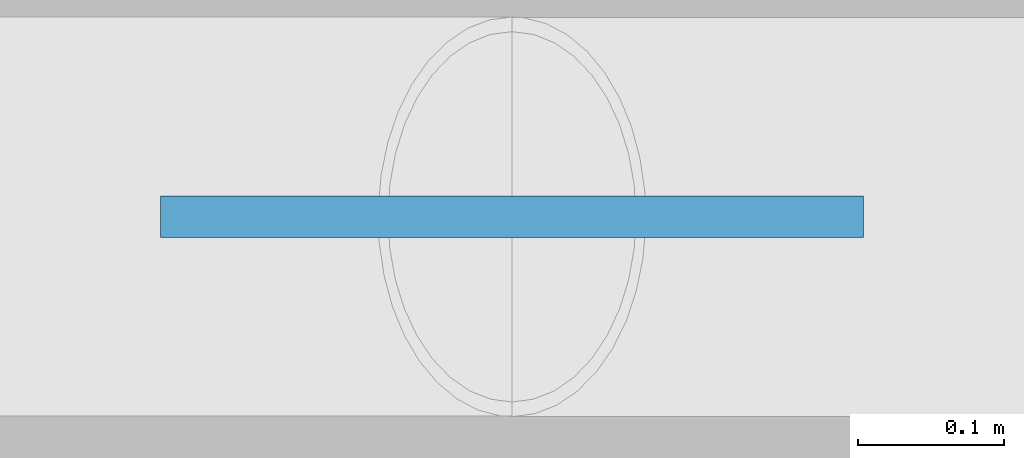
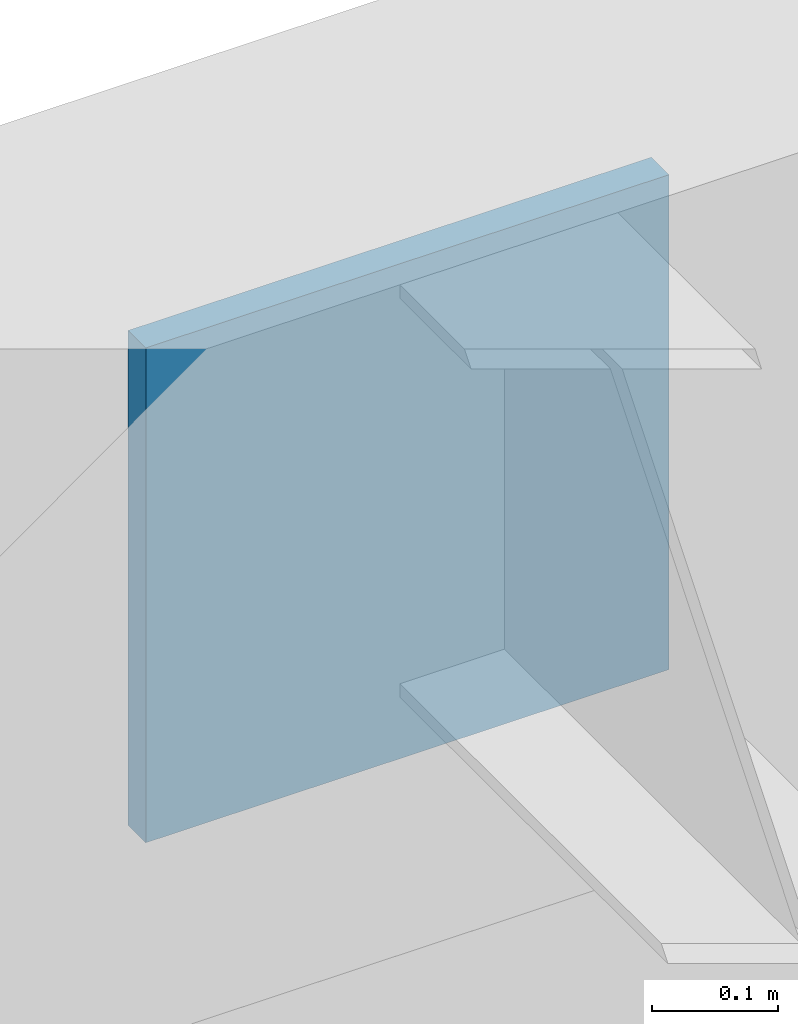
# One storey, part 13 of 30: 1 plate.
"""IFC4 building model written with IfcOpenShell, lengths in metres."""

from ifc_helpers import new_model, si_unit, direction, frame, origin, origin_2d, place, context, subcontext, project, spatial, rectangle, extrude, material, layer, layer_set, type_object, element, save


model = new_model("IFC4")

# Units and contexts
model_context = context("Model", 3, precision=1e-05, world=origin(), true_north=direction((0.0, 1.0)))
body_context = subcontext(model_context, "Body", "Model", "MODEL_VIEW")
ifc_project = project(units=[si_unit("LENGTHUNIT", "METRE"), si_unit("AREAUNIT", "SQUARE_METRE"), si_unit("VOLUMEUNIT", "CUBIC_METRE"), si_unit("PLANEANGLEUNIT", "RADIAN"), si_unit("MASSUNIT", "GRAM", prefix="KILO")], contexts=[model_context])

# Site, building, storey
site_placement = place(None, origin())
site = spatial("IfcSite", under=ifc_project, at=site_placement, CompositionType="ELEMENT")
building_placement = place(site_placement, origin())
building = spatial("IfcBuilding", under=site, at=building_placement, Name="Chengyuan Square Courthouse", CompositionType="ELEMENT")
storey_placement = place(building_placement, frame((0.0, 0.0, 26.10009765625)))
storey = spatial("IfcBuildingStorey", under=building, at=storey_placement, Name="L06", CompositionType="ELEMENT", Elevation=26.10009765625)

# Plate
ifc_material = material(Name="Steel Q355B", Category="steel")
ifc_layer = layer(ifc_material, 0.028076171875)
ifc_layer_set = layer_set([ifc_layer], Name="Steel Q355B")
plate_type = type_object("IfcPlateType", Name="GP-02", PredefinedType="SHEET", material=ifc_layer_set)
plate_placement = place(storey_placement, frame((105.0, 115.199951171875, 3.64990234375), z_axis=(0.0, 0.0, 1.0), x_axis=(1.0, 0.0, 0.0)))
element("IfcPlate", 1, at=plate_placement, inside=storey, type_object=plate_type, Name="Brace Gusset Plate GP-L06-12", PredefinedType="SHEET", context=body_context, shape_type="SweptSolid", body=[
    extrude(rectangle(XDim=0.47998046875, YDim=0.028076171875, at=origin_2d()), origin(), (0.0, 0.0, 1.0), 0.47998046875),
])

save(model, "model.ifc")
